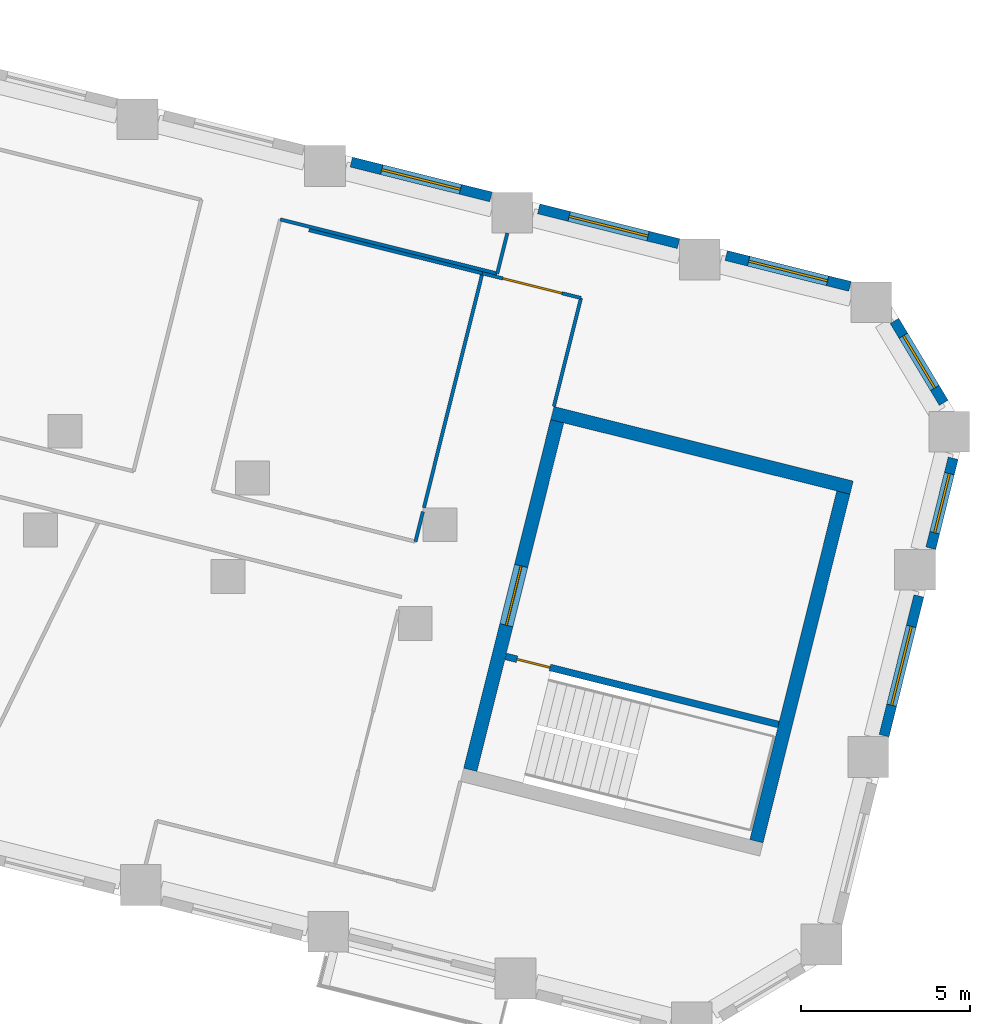
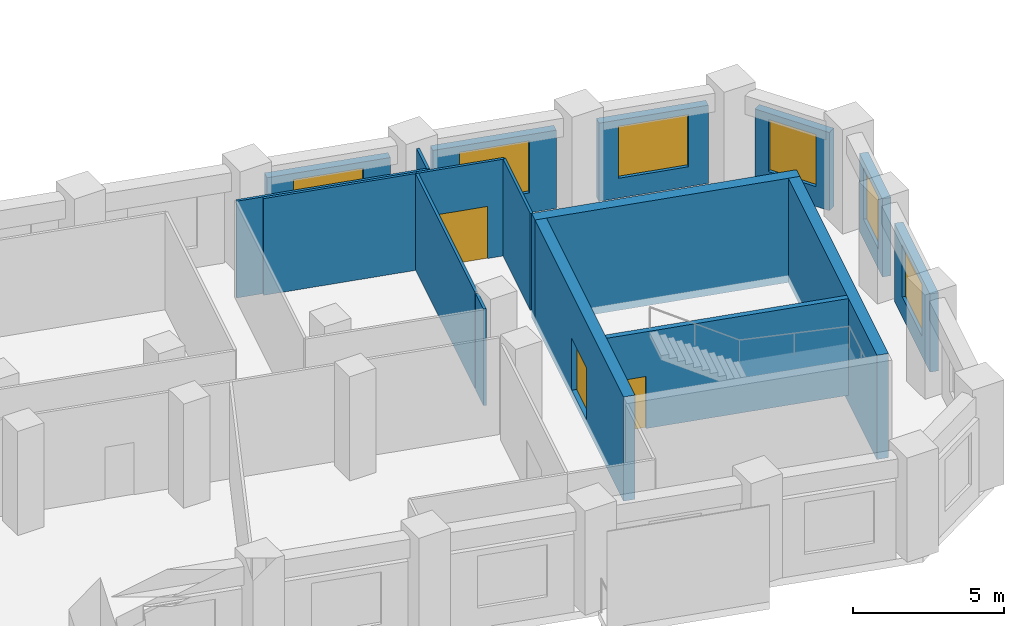
# One storey, part 7 of 10: 17 walls, 6 windows, 3 doors, 9 openings.
"""IFC4 building model written with IfcOpenShell, lengths in metres."""

from ifc_helpers import new_model, si_unit, direction, frame, frame_2d, origin, place, context, subcontext, project, spatial, rectangle, extrude, material, layer, layer_set, type_object, element, fill, save


model = new_model("IFC4")

# Units and contexts
model_context = context("Model", 3, precision=1e-05, world=origin(), true_north=direction((0.0, 1.0)))
body_context = subcontext(model_context, "Body", "Model", "MODEL_VIEW")
ifc_project = project(units=[si_unit("LENGTHUNIT", "METRE"), si_unit("AREAUNIT", "SQUARE_METRE"), si_unit("VOLUMEUNIT", "CUBIC_METRE"), si_unit("PLANEANGLEUNIT", "RADIAN"), si_unit("MASSUNIT", "GRAM", prefix="KILO")], contexts=[model_context])

# Site, building, storey
site_placement = place(None, origin())
site = spatial("IfcSite", under=ifc_project, at=site_placement, CompositionType="ELEMENT")
building_placement = place(site_placement, origin())
building = spatial("IfcBuilding", under=site, at=building_placement, Name="Meshkara Civic Tower", CompositionType="ELEMENT")
storey_placement = place(building_placement, frame((0.0, 0.0, 190.800048828125)))
storey = spatial("IfcBuildingStorey", under=building, at=storey_placement, Name="L43", CompositionType="ELEMENT", Elevation=190.800048828125)

# Walls
ifc_material_1 = material(Name="Corridor wall 100")
ifc_layer_1 = layer(ifc_material_1, 0.10009765625)
ifc_layer_set_1 = layer_set([ifc_layer_1], Name="Corridor wall 100")
wall_type_1 = type_object("IfcWallType", Name="Corridor wall 100", PredefinedType="PARTITIONING", material=ifc_layer_set_1)
wall_1_placement = place(storey_placement, frame((59.68408203125, 6.24609375, 0.0), z_axis=(0.0, 0.0, 1.0), x_axis=(0.970303335351, -0.24189137522, 0.0)))
element("IfcWall", 1, at=wall_1_placement, inside=storey, type_object=wall_type_1, Name="L43-W031", PredefinedType="PARTITIONING", context=body_context, shape_type="SweptSolid", body=[
    extrude(rectangle(XDim=6.598876953125, YDim=0.10009765625, at=frame_2d((3.29931640625, 0.0))), origin(), (0.0, 0.0, 1.0), 3.89990234375),
])
wall_2_placement = place(storey_placement, frame((63.89501953125, -2.37109375, 0.0), z_axis=(0.0, 0.0, 1.0), x_axis=(-0.241969389514, -0.970283883478, 0.0)))
element("IfcWall", 2, at=wall_2_placement, inside=storey, type_object=wall_type_1, Name="L43-W035", PredefinedType="PARTITIONING", context=body_context, shape_type="SweptSolid", body=[
    extrude(rectangle(XDim=0.9130859375, YDim=0.10009765625, at=frame_2d((0.45654296875, 0.0))), origin(), (0.0, 0.0, 1.0), 3.89990234375),
])
wall_3_placement = place(storey_placement, frame((65.64697265625, 4.656982421875, 0.0), z_axis=(0.0, 0.0, 1.0), x_axis=(-0.24192324031, -0.970295391001, 0.0)))
element("IfcWall", 3, at=wall_3_placement, inside=storey, type_object=wall_type_1, Name="L43-W037", PredefinedType="PARTITIONING", context=body_context, shape_type="SweptSolid", body=[
    extrude(rectangle(XDim=7.129638671875, YDim=0.10009765625, at=frame_2d((3.56494140625, 0.0))), origin(), (0.0, 0.0, 1.0), 3.89990234375),
])
wall_4_placement = place(storey_placement, frame((66.0869140625, 4.64990234375, 0.0), z_axis=(0.0, 0.0, 1.0), x_axis=(0.241275920452, 0.970456557611, 0.0)))
element("IfcWall", 4, at=wall_4_placement, inside=storey, type_object=wall_type_1, Name="L43-W038", PredefinedType="PARTITIONING", context=body_context, shape_type="SweptSolid", body=[
    extrude(rectangle(XDim=1.2314453125, YDim=0.10009765625, at=frame_2d((0.61572265625, 0.0))), origin(), (0.0, 0.0, 1.0), 3.89990234375),
])
wall_5_placement = place(storey_placement, frame((67.759033203125, 0.72900390625, 0.0), z_axis=(0.0, 0.0, 1.0), x_axis=(0.241786986316, 0.970329352977, 0.0)))
element("IfcWall", 5, at=wall_5_placement, inside=storey, type_object=wall_type_1, Name="L43-W039", PredefinedType="PARTITIONING", context=body_context, shape_type="SweptSolid", body=[
    extrude(rectangle(XDim=3.2998046875, YDim=0.10009765625, at=frame_2d((1.64990234375, 0.0))), origin(), (0.0, 0.0, 1.0), 3.89990234375),
])

# Wall, opening, door
wall_6_placement = place(storey_placement, frame((68.556884765625, 3.930908203125, 0.0), z_axis=(0.0, 0.0, 1.0), x_axis=(-0.970252534748, 0.242095061527, 0.0)))
wall_6 = element("IfcWall", 6, at=wall_6_placement, inside=storey, type_object=wall_type_1, Name="L43-W040", PredefinedType="PARTITIONING", context=body_context, shape_type="SweptSolid", body=[
    extrude(rectangle(XDim=2.9990234375, YDim=0.10009765625, at=frame_2d((1.49951171875, 0.0))), origin(), (0.0, 0.0, 1.0), 3.89990234375),
])
opening_1_placement = place(wall_6_placement, frame((0.580078125, 0.0, 0.0)))
opening_1 = element("IfcOpeningElement", 7, at=opening_1_placement, cuts=wall_6, Name="Opening L43-D009", PredefinedType="OPENING", context=body_context, shape_type="SweptSolid", body=[
    extrude(rectangle(XDim=1.800048828125, YDim=2.10009765625, at=frame_2d((0.89990234375, 1.050048828125))), frame((0.0, 0.06005859375, 0.0), z_axis=(0.0, -1.0, 0.0), x_axis=(1.0, 0.0, 0.0)), (0.0, 0.0, 1.0), 0.1201171875),
])
ifc_material_2 = material(Name="Door pair 1800 x 2100")
door_type_1 = type_object("IfcDoorType", Name="Door pair 1800 x 2100", OperationType="SINGLE_SWING_LEFT", PredefinedType="DOOR", material=ifc_material_2)
door_1_placement = place(opening_1_placement, origin())
door_1 = element("IfcDoor", 8, at=door_1_placement, inside=storey, type_object=door_type_1, Name="L43-D009", OperationType="DOUBLE_DOOR_SINGLE_SWING", OverallHeight=2.10009765625, OverallWidth=1.800048828125, PredefinedType="DOOR", context=body_context, shape_type="SweptSolid", body=[
    extrude(rectangle(XDim=1.800048828125, YDim=2.10009765625, at=frame_2d((0.89990234375, 1.050048828125))), frame((0.0, 0.02490234375, 0.0), z_axis=(0.0, -1.0, 0.0), x_axis=(1.0, 0.0, 0.0)), (0.0, 0.0, 1.0), 0.050048828125),
])
fill(opening_1, door_1)

# Wall, opening, window
ifc_material_3 = material(Name="Insulated infill panel with bronze anodised aluminium cladding", Category="aluminium")
ifc_layer_2 = layer(ifc_material_3, 0.300048828125)
ifc_layer_set_2 = layer_set([ifc_layer_2], Name="EXTERNAL INFILL WALL 300")
wall_type_2 = type_object("IfcWallType", Name="EXTERNAL INFILL WALL 300", PredefinedType="SOLIDWALL", material=ifc_layer_set_2)
wall_7_placement = place(storey_placement, frame((76.491943359375, 4.27197265625, 0.0), z_axis=(0.0, 0.0, 1.0), x_axis=(-0.970348377394, 0.241710625521, 0.0)))
wall_7 = element("IfcWall", 9, at=wall_7_placement, inside=storey, type_object=wall_type_2, Name="External wall", PredefinedType="SOLIDWALL", context=body_context, shape_type="SweptSolid", body=[
    extrude(rectangle(XDim=3.760498046875, YDim=0.300048828125, at=frame_2d((1.88037109375, 0.0))), origin(), (0.0, 0.0, 1.0), 3.14990234375),
])
opening_2_placement = place(wall_7_placement, frame((0.679931640625, 0.0, 0.800048828125)))
opening_2 = element("IfcOpeningElement", 10, at=opening_2_placement, cuts=wall_7, Name="Opening W7", PredefinedType="OPENING", context=body_context, shape_type="SweptSolid", body=[
    extrude(rectangle(XDim=2.39990234375, YDim=2.10009765625, at=frame_2d((1.199951171875, 1.050048828125))), frame((0.0, 0.159912109375, 0.0), z_axis=(0.0, -1.0, 0.0), x_axis=(1.0, 0.0, 0.0)), (0.0, 0.0, 1.0), 0.320068359375),
])
ifc_material_4 = material(Name="Tinted double glazing", Category="glass")
window_type_1 = type_object("IfcWindowType", Name="WINDOW 2400x2100", PartitioningType="DOUBLE_PANEL_VERTICAL", PredefinedType="WINDOW", material=ifc_material_4)
window_1_placement = place(opening_2_placement, origin())
window_1 = element("IfcWindow", 11, at=window_1_placement, inside=storey, type_object=window_type_1, Name="Window", OverallHeight=2.10009765625, OverallWidth=2.39990234375, PartitioningType="DOUBLE_PANEL_VERTICAL", PredefinedType="WINDOW", context=body_context, shape_type="SweptSolid", body=[
    extrude(rectangle(XDim=2.39990234375, YDim=2.10009765625, at=frame_2d((1.199951171875, 1.050048828125))), frame((0.0, 0.030029296875, 0.0), z_axis=(0.0, -1.0, 0.0), x_axis=(1.0, 0.0, 0.0)), (0.0, 0.0, 1.0), 0.06005859375),
])
fill(opening_2, window_1)

wall_8_placement = place(storey_placement, frame((71.431884765625, 5.532958984375, 0.0), z_axis=(0.0, 0.0, 1.0), x_axis=(-0.970301260502, 0.241899697951, 0.0)))
wall_8 = element("IfcWall", 12, at=wall_8_placement, inside=storey, type_object=wall_type_2, Name="External wall", PredefinedType="SOLIDWALL", context=body_context, shape_type="SweptSolid", body=[
    extrude(rectangle(XDim=4.24609375, YDim=0.300048828125, at=frame_2d((2.123046875, 0.0))), origin(), (0.0, 0.0, 1.0), 3.14990234375),
])
opening_3_placement = place(wall_8_placement, frame((0.923095703125, 0.0, 0.800048828125)))
opening_3 = element("IfcOpeningElement", 13, at=opening_3_placement, cuts=wall_8, Name="Opening W7", PredefinedType="OPENING", context=body_context, shape_type="SweptSolid", body=[
    extrude(rectangle(XDim=2.39990234375, YDim=2.10009765625, at=frame_2d((1.199951171875, 1.050048828125))), frame((0.0, 0.159912109375, 0.0), z_axis=(0.0, -1.0, 0.0), x_axis=(1.0, 0.0, 0.0)), (0.0, 0.0, 1.0), 0.320068359375),
])
window_2_placement = place(opening_3_placement, origin())
window_2 = element("IfcWindow", 14, at=window_2_placement, inside=storey, type_object=window_type_1, Name="Window", OverallHeight=2.10009765625, OverallWidth=2.39990234375, PartitioningType="DOUBLE_PANEL_VERTICAL", PredefinedType="WINDOW", context=body_context, shape_type="SweptSolid", body=[
    extrude(rectangle(XDim=2.39990234375, YDim=2.10009765625, at=frame_2d((1.199951171875, 1.050048828125))), frame((0.0, 0.030029296875, 0.0), z_axis=(0.0, -1.0, 0.0), x_axis=(1.0, 0.0, 0.0)), (0.0, 0.0, 1.0), 0.06005859375),
])
fill(opening_3, window_2)

wall_9_placement = place(storey_placement, frame((65.90087890625, 6.912109375, 0.0), z_axis=(0.0, 0.0, 1.0), x_axis=(-0.970260760633, 0.242062091986, 0.0)))
wall_9 = element("IfcWall", 15, at=wall_9_placement, inside=storey, type_object=wall_type_2, Name="External wall", PredefinedType="SOLIDWALL", context=body_context, shape_type="SweptSolid", body=[
    extrude(rectangle(XDim=4.24609375, YDim=0.300048828125, at=frame_2d((2.123046875, 0.0))), origin(), (0.0, 0.0, 1.0), 3.14990234375),
])
opening_4_placement = place(wall_9_placement, frame((0.923095703125, 0.0, 0.800048828125)))
opening_4 = element("IfcOpeningElement", 16, at=opening_4_placement, cuts=wall_9, Name="Opening W7", PredefinedType="OPENING", context=body_context, shape_type="SweptSolid", body=[
    extrude(rectangle(XDim=2.39990234375, YDim=2.10009765625, at=frame_2d((1.199951171875, 1.050048828125))), frame((0.0, 0.159912109375, 0.0), z_axis=(0.0, -1.0, 0.0), x_axis=(1.0, 0.0, 0.0)), (0.0, 0.0, 1.0), 0.320068359375),
])
window_3_placement = place(opening_4_placement, origin())
window_3 = element("IfcWindow", 17, at=window_3_placement, inside=storey, type_object=window_type_1, Name="Window", OverallHeight=2.10009765625, OverallWidth=2.39990234375, PartitioningType="DOUBLE_PANEL_VERTICAL", PredefinedType="WINDOW", context=body_context, shape_type="SweptSolid", body=[
    extrude(rectangle(XDim=2.39990234375, YDim=2.10009765625, at=frame_2d((1.199951171875, 1.050048828125))), frame((0.0, 0.030029296875, 0.0), z_axis=(0.0, -1.0, 0.0), x_axis=(1.0, 0.0, 0.0)), (0.0, 0.0, 1.0), 0.06005859375),
])
fill(opening_4, window_3)

wall_10_placement = place(storey_placement, frame((77.5, -8.98095703125, 0.0), z_axis=(0.0, 0.0, 1.0), x_axis=(0.241682938765, 0.970355273655, 0.0)))
wall_10 = element("IfcWall", 18, at=wall_10_placement, inside=storey, type_object=wall_type_2, Name="External wall", PredefinedType="SOLIDWALL", context=body_context, shape_type="SweptSolid", body=[
    extrude(rectangle(XDim=4.24462890625, YDim=0.300048828125, at=frame_2d((2.122314453125, 0.0))), origin(), (0.0, 0.0, 1.0), 3.14990234375),
])
opening_5_placement = place(wall_10_placement, frame((0.922119140625, 0.0, 0.800048828125)))
opening_5 = element("IfcOpeningElement", 19, at=opening_5_placement, cuts=wall_10, Name="Opening W7", PredefinedType="OPENING", context=body_context, shape_type="SweptSolid", body=[
    extrude(rectangle(XDim=2.39990234375, YDim=2.10009765625, at=frame_2d((1.199951171875, 1.050048828125))), frame((0.0, 0.159912109375, 0.0), z_axis=(0.0, -1.0, 0.0), x_axis=(1.0, 0.0, 0.0)), (0.0, 0.0, 1.0), 0.320068359375),
])
window_4_placement = place(opening_5_placement, origin())
window_4 = element("IfcWindow", 20, at=window_4_placement, inside=storey, type_object=window_type_1, Name="Window", OverallHeight=2.10009765625, OverallWidth=2.39990234375, PartitioningType="DOUBLE_PANEL_VERTICAL", PredefinedType="WINDOW", context=body_context, shape_type="SweptSolid", body=[
    extrude(rectangle(XDim=2.39990234375, YDim=2.10009765625, at=frame_2d((1.199951171875, 1.050048828125))), frame((0.0, 0.030029296875, 0.0), z_axis=(0.0, -1.0, 0.0), x_axis=(1.0, 0.0, 0.0)), (0.0, 0.0, 1.0), 0.06005859375),
])
fill(opening_5, window_4)

wall_11_placement = place(storey_placement, frame((78.8779296875, -3.450927734375, 0.0), z_axis=(0.0, 0.0, 1.0), x_axis=(0.24190501074, 0.970299935988, 0.0)))
wall_11 = element("IfcWall", 21, at=wall_11_placement, inside=storey, type_object=wall_type_2, Name="External wall", PredefinedType="SOLIDWALL", context=body_context, shape_type="SweptSolid", body=[
    extrude(rectangle(XDim=2.73291015625, YDim=0.300048828125, at=frame_2d((1.366455078125, 0.0))), origin(), (0.0, 0.0, 1.0), 3.14990234375),
])
opening_6_placement = place(wall_11_placement, frame((0.466064453125, 0.0, 0.800048828125)))
opening_6 = element("IfcOpeningElement", 22, at=opening_6_placement, cuts=wall_11, Name="Opening W9", PredefinedType="OPENING", context=body_context, shape_type="SweptSolid", body=[
    extrude(rectangle(XDim=1.800048828125, YDim=2.10009765625, at=frame_2d((0.89990234375, 1.050048828125))), frame((0.0, 0.159912109375, 0.0), z_axis=(0.0, -1.0, 0.0), x_axis=(1.0, 0.0, 0.0)), (0.0, 0.0, 1.0), 0.320068359375),
])
ifc_material_5 = material(Name="Tinted double glazing", Category="glass")
window_type_2 = type_object("IfcWindowType", Name="WINDOW 1800x2100", PartitioningType="DOUBLE_PANEL_VERTICAL", PredefinedType="WINDOW", material=ifc_material_5)
window_5_placement = place(opening_6_placement, origin())
window_5 = element("IfcWindow", 23, at=window_5_placement, inside=storey, type_object=window_type_2, Name="Window", OverallHeight=2.10009765625, OverallWidth=1.800048828125, PartitioningType="DOUBLE_PANEL_VERTICAL", PredefinedType="WINDOW", context=body_context, shape_type="SweptSolid", body=[
    extrude(rectangle(XDim=1.800048828125, YDim=2.10009765625, at=frame_2d((0.89990234375, 1.050048828125))), frame((0.0, 0.030029296875, 0.0), z_axis=(0.0, -1.0, 0.0), x_axis=(1.0, 0.0, 0.0)), (0.0, 0.0, 1.0), 0.06005859375),
])
fill(opening_6, window_5)

wall_12_placement = place(storey_placement, frame((79.257080078125, 0.839111328125, 0.0), z_axis=(0.0, 0.0, 1.0), x_axis=(-0.514992914014, 0.857194434487, 0.0)))
wall_12 = element("IfcWall", 24, at=wall_12_placement, inside=storey, type_object=wall_type_2, Name="External wall", PredefinedType="SOLIDWALL", context=body_context, shape_type="SweptSolid", body=[
    extrude(rectangle(XDim=2.81591796875, YDim=0.300048828125, at=frame_2d((1.407958984375, 0.0))), origin(), (0.0, 0.0, 1.0), 3.14990234375),
])
opening_7_placement = place(wall_12_placement, frame((0.508056640625, 0.0, 0.800048828125)))
opening_7 = element("IfcOpeningElement", 25, at=opening_7_placement, cuts=wall_12, Name="Opening W9", PredefinedType="OPENING", context=body_context, shape_type="SweptSolid", body=[
    extrude(rectangle(XDim=1.800048828125, YDim=2.10009765625, at=frame_2d((0.89990234375, 1.050048828125))), frame((0.0, 0.159912109375, 0.0), z_axis=(0.0, -1.0, 0.0), x_axis=(1.0, 0.0, 0.0)), (0.0, 0.0, 1.0), 0.320068359375),
])
window_6_placement = place(opening_7_placement, origin())
window_6 = element("IfcWindow", 26, at=window_6_placement, inside=storey, type_object=window_type_2, Name="Window", OverallHeight=2.10009765625, OverallWidth=1.800048828125, PartitioningType="DOUBLE_PANEL_VERTICAL", PredefinedType="WINDOW", context=body_context, shape_type="SweptSolid", body=[
    extrude(rectangle(XDim=1.800048828125, YDim=2.10009765625, at=frame_2d((0.89990234375, 1.050048828125))), frame((0.0, 0.030029296875, 0.0), z_axis=(0.0, -1.0, 0.0), x_axis=(1.0, 0.0, 0.0)), (0.0, 0.0, 1.0), 0.06005859375),
])
fill(opening_7, window_6)

# Wall
ifc_material_6 = material(Name="Concrete C70", Category="concrete")
ifc_layer_3 = layer(ifc_material_6, 0.39990234375)
ifc_layer_set_3 = layer_set([ifc_layer_3], Name="End core ring wall 400 C70")
wall_type_3 = type_object("IfcWallType", Name="End core ring wall 400 C70", PredefinedType="SHEAR", material=ifc_layer_set_3)
wall_13_placement = place(storey_placement, frame((67.7109375, 0.534912109375, -0.300048828125), z_axis=(0.0, 0.0, 1.0), x_axis=(0.970306418893, -0.241879005816, 0.0)))
element("IfcWall", 27, at=wall_13_placement, inside=storey, type_object=wall_type_3, Name="L43-C029", PredefinedType="SHEAR", context=body_context, shape_type="SweptSolid", body=[
    extrude(rectangle(XDim=9.099365234375, YDim=0.39990234375, at=frame_2d((4.5498046875, 0.0))), origin(), (0.0, 0.0, 1.0), 4.199951171875),
])

# Wall, opening, door
wall_14_placement = place(storey_placement, frame((65.2919921875, -9.991943359375, -0.300048828125), z_axis=(0.0, 0.0, 1.0), x_axis=(0.241890652548, 0.970303515509, 0.0)))
wall_14 = element("IfcWall", 28, at=wall_14_placement, inside=storey, type_object=wall_type_3, Name="L43-C030", PredefinedType="SHEAR", context=body_context, shape_type="SweptSolid", body=[
    extrude(rectangle(XDim=10.599609375, YDim=0.39990234375, at=frame_2d((5.2998046875, 0.0))), origin(), (0.0, 0.0, 1.0), 4.199951171875),
])
opening_8_placement = place(wall_14_placement, frame((4.39990234375, 0.0, 0.300048828125)))
opening_8 = element("IfcOpeningElement", 29, at=opening_8_placement, cuts=wall_14, Name="Opening L43-K202", PredefinedType="OPENING", context=body_context, shape_type="SweptSolid", body=[
    extrude(rectangle(XDim=1.800048828125, YDim=2.10009765625, at=frame_2d((0.89990234375, 1.050048828125))), frame((0.0, 0.2099609375, 0.0), z_axis=(0.0, -1.0, 0.0), x_axis=(1.0, 0.0, 0.0)), (0.0, 0.0, 1.0), 0.419921875),
])
ifc_material_7 = material(Name="Fire-rated door leaf in steel frame", Category="steel")
door_type_2 = type_object("IfcDoorType", Name="Core double door 1800 EI 60", OperationType="DOUBLE_DOOR_SINGLE_SWING", PredefinedType="DOOR", material=ifc_material_7)
door_2_placement = place(opening_8_placement, origin())
door_2 = element("IfcDoor", 30, at=door_2_placement, inside=storey, type_object=door_type_2, Name="L43-K202", OperationType="DOUBLE_DOOR_SINGLE_SWING", OverallHeight=2.10009765625, OverallWidth=1.800048828125, PredefinedType="DOOR", context=body_context, shape_type="SweptSolid", body=[
    extrude(rectangle(XDim=1.800048828125, YDim=2.10009765625, at=frame_2d((0.89990234375, 1.050048828125))), frame((0.0, 0.02490234375, 0.0), z_axis=(0.0, -1.0, 0.0), x_axis=(1.0, 0.0, 0.0)), (0.0, 0.0, 1.0), 0.050048828125),
])
fill(opening_8, door_2)

# Walls
wall_15_placement = place(storey_placement, frame((73.73388671875, -12.096923828125, -0.300048828125), z_axis=(0.0, 0.0, 1.0), x_axis=(0.241912337509, 0.970298109326, 0.0)))
element("IfcWall", 31, at=wall_15_placement, inside=storey, type_object=wall_type_3, Name="L43-C031", PredefinedType="SHEAR", context=body_context, shape_type="SweptSolid", body=[
    extrude(rectangle(XDim=10.599853515625, YDim=0.39990234375, at=frame_2d((5.2998046875, 0.0))), origin(), (0.0, 0.0, 1.0), 4.199951171875),
])
ifc_material_8 = material(Name="Partition 100")
ifc_layer_4 = layer(ifc_material_8, 0.10009765625)
ifc_layer_set_4 = layer_set([ifc_layer_4], Name="Partition 100")
wall_type_4 = type_object("IfcWallType", Name="Partition 100", PredefinedType="PARTITIONING", material=ifc_layer_set_4)
wall_16_placement = place(storey_placement, frame((65.65087890625, 4.656005859375, 0.0), z_axis=(0.0, 0.0, 1.0), x_axis=(-0.970313758944, 0.241849559033, 0.0)))
element("IfcWall", 32, at=wall_16_placement, inside=storey, type_object=wall_type_4, Name="L43-W059", PredefinedType="PARTITIONING", context=body_context, shape_type="SweptSolid", body=[
    extrude(rectangle(XDim=5.275390625, YDim=0.10009765625, at=frame_2d((2.6376953125, 0.0))), origin(), (0.0, 0.0, 1.0), 3.89990234375),
])

# Wall, opening, door
ifc_material_9 = material(Name="Concrete C40/50", Category="concrete")
ifc_layer_5 = layer(ifc_material_9, 0.199951171875)
ifc_layer_set_5 = layer_set([ifc_layer_5], Name="Stair enclosure wall 200 C40/50")
wall_type_5 = type_object("IfcWallType", Name="Stair enclosure wall 200 C40/50", PredefinedType="SOLIDWALL", material=ifc_layer_set_5)
wall_17_placement = place(storey_placement, frame((66.3330078125, -6.64501953125, 0.0), z_axis=(0.0, 0.0, 1.0), x_axis=(0.970289402158, -0.241947258837, 0.0)))
wall_17 = element("IfcWall", 33, at=wall_17_placement, inside=storey, type_object=wall_type_5, Name="L43-C032", PredefinedType="SOLIDWALL", context=body_context, shape_type="SweptSolid", body=[
    extrude(rectangle(XDim=8.299560546875, YDim=0.199951171875, at=frame_2d((4.14990234375, 0.0))), origin(), (0.0, 0.0, 1.0), 3.89990234375),
])
opening_9_placement = place(wall_17_placement, frame((0.35009765625, 0.0, 0.0)))
opening_9 = element("IfcOpeningElement", 34, at=opening_9_placement, cuts=wall_17, Name="Opening L43-K201", PredefinedType="OPENING", context=body_context, shape_type="SweptSolid", body=[
    extrude(rectangle(XDim=1.0, YDim=2.10009765625, at=frame_2d((0.5, 1.050048828125))), frame((0.0, 0.10986328125, 0.0), z_axis=(0.0, -1.0, 0.0), x_axis=(1.0, 0.0, 0.0)), (0.0, 0.0, 1.0), 0.219970703125),
])
ifc_material_10 = material(Name="Fire-rated door leaf in steel frame", Category="steel")
door_type_3 = type_object("IfcDoorType", Name="Stair door 1000 EI 120", OperationType="SINGLE_SWING_LEFT", PredefinedType="DOOR", material=ifc_material_10)
door_3_placement = place(opening_9_placement, origin())
door_3 = element("IfcDoor", 35, at=door_3_placement, inside=storey, type_object=door_type_3, Name="L43-K201", OperationType="SINGLE_SWING_LEFT", OverallHeight=2.10009765625, OverallWidth=1.0, PredefinedType="DOOR", context=body_context, shape_type="SweptSolid", body=[
    extrude(rectangle(XDim=1.0, YDim=2.10009765625, at=frame_2d((0.5, 1.050048828125))), frame((0.0, 0.02490234375, 0.0), z_axis=(0.0, -1.0, 0.0), x_axis=(1.0, 0.0, 0.0)), (0.0, 0.0, 1.0), 0.050048828125),
])
fill(opening_9, door_3)

save(model, "model.ifc")
